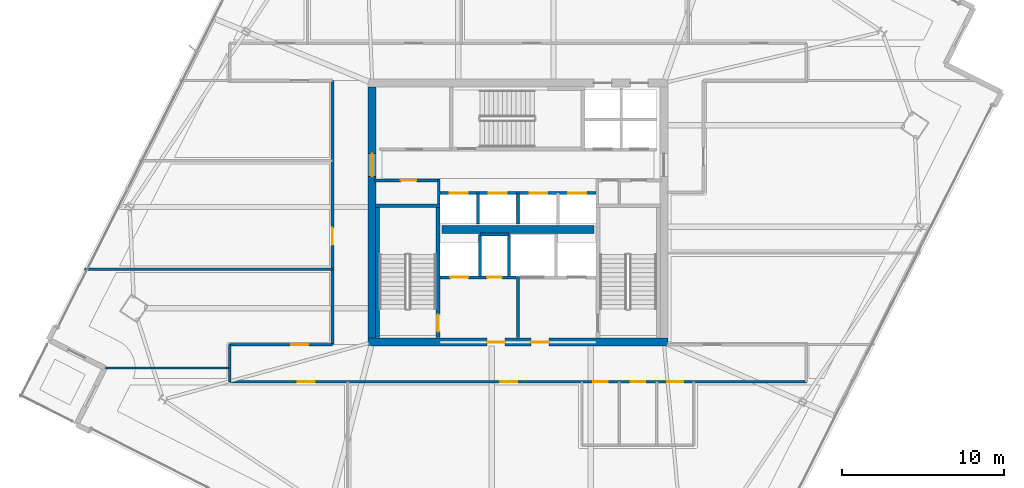
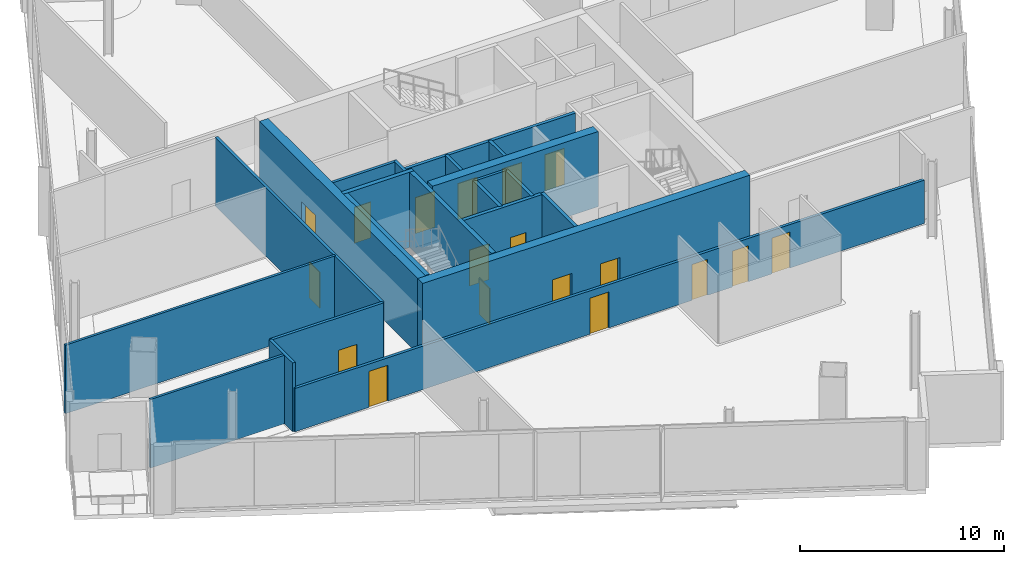
# One storey, part 20 of 27: 22 walls, 18 doors, 18 openings.
"""IFC4 building model written with IfcOpenShell, lengths in metres."""

from ifc_helpers import new_model, si_unit, direction, frame, frame_2d, origin, place, context, subcontext, project, spatial, rectangle, extrude, material, layer, layer_set, type_object, element, fill, save


model = new_model("IFC4")

# Units and contexts
model_context = context("Model", 3, precision=1e-05, world=origin(), true_north=direction((0.0, 1.0)))
body_context = subcontext(model_context, "Body", "Model", "MODEL_VIEW")
ifc_project = project(units=[si_unit("LENGTHUNIT", "METRE"), si_unit("AREAUNIT", "SQUARE_METRE"), si_unit("VOLUMEUNIT", "CUBIC_METRE"), si_unit("PLANEANGLEUNIT", "RADIAN"), si_unit("MASSUNIT", "GRAM", prefix="KILO")], contexts=[model_context])

# Site, building, storey
site_placement = place(None, origin())
site = spatial("IfcSite", under=ifc_project, at=site_placement, CompositionType="ELEMENT")
building_placement = place(site_placement, origin())
building = spatial("IfcBuilding", under=site, at=building_placement, Name="Haldenkirk Collegiate Tower", CompositionType="ELEMENT")
storey_placement = place(building_placement, frame((0.0, 0.0, 239.699951171875)))
storey = spatial("IfcBuildingStorey", under=building, at=storey_placement, Name="L60", CompositionType="ELEMENT", Elevation=239.699951171875)

# Wall, openings, doors
ifc_material_1 = material(Name="Concrete f'c 55 MPa", Category="concrete")
ifc_layer_1 = layer(ifc_material_1, 0.5)
ifc_layer_set_1 = layer_set([ifc_layer_1], Name="Concrete f'c 55 MPa")
wall_type_1 = type_object("IfcWallType", Name="WL-CORE-500", PredefinedType="SHEAR", material=ifc_layer_set_1)
wall_1_placement = place(storey_placement, frame((26.75, 18.0, 0.0), z_axis=(0.0, 0.0, 1.0), x_axis=(1.0, 0.0, 0.0)))
wall_1 = element("IfcWall", 1, at=wall_1_placement, inside=storey, type_object=wall_type_1, Name="L60 central core shear wall S", PredefinedType="SHEAR", context=body_context, shape_type="SweptSolid", body=[
    extrude(rectangle(XDim=18.5, YDim=0.5, at=frame_2d((9.25, 0.0))), origin(), (0.0, 0.0, 1.0), 4.5),
])
opening_1_placement = place(wall_1_placement, frame((7.35009765625, 0.0, 0.0)))
opening_1 = element("IfcOpeningElement", 2, at=opening_1_placement, cuts=wall_1, Name="Opening D-02", PredefinedType="OPENING", context=body_context, shape_type="SweptSolid", body=[
    extrude(rectangle(XDim=1.10009765625, YDim=2.14990234375, at=frame_2d((0.550048828125, 1.074951171875))), frame((0.0, 0.260009765625, 0.0), z_axis=(0.0, -1.0, 0.0), x_axis=(1.0, 0.0, 0.0)), (0.0, 0.0, 1.0), 0.52001953125),
])
opening_2_placement = place(wall_1_placement, frame((10.050048828125, 0.0, 0.0)))
opening_2 = element("IfcOpeningElement", 3, at=opening_2_placement, cuts=wall_1, Name="Opening D-02", PredefinedType="OPENING", context=body_context, shape_type="SweptSolid", body=[
    extrude(rectangle(XDim=1.10009765625, YDim=2.14990234375, at=frame_2d((0.550048828125, 1.074951171875))), frame((0.0, 0.260009765625, 0.0), z_axis=(0.0, -1.0, 0.0), x_axis=(1.0, 0.0, 0.0)), (0.0, 0.0, 1.0), 0.52001953125),
])
ifc_material_2 = material(Name="Galvanized fire-rated hollow steel door", Category="steel")
ifc_layer_2 = layer(ifc_material_2, 0.06005859375)
ifc_layer_set_2 = layer_set([ifc_layer_2], Name="Galvanized fire-rated hollow steel door")
door_type_1 = type_object("IfcDoorType", Name="DR-STAIR-FD90-1100", OperationType="NOTDEFINED", PredefinedType="DOOR", material=ifc_layer_set_2)
door_1_placement = place(opening_1_placement, origin())
door_1 = element("IfcDoor", 4, at=door_1_placement, inside=storey, type_object=door_type_1, Name="L60 Firefighting Lobby 1 door", OperationType="SINGLE_SWING_RIGHT", OverallHeight=2.14990234375, OverallWidth=1.10009765625, PredefinedType="DOOR", context=body_context, shape_type="SweptSolid", body=[
    extrude(rectangle(XDim=1.10009765625, YDim=2.14990234375, at=frame_2d((0.550048828125, 1.074951171875))), frame((0.0, 0.02490234375, 0.0), z_axis=(0.0, -1.0, 0.0), x_axis=(1.0, 0.0, 0.0)), (0.0, 0.0, 1.0), 0.050048828125),
])
fill(opening_1, door_1)
door_2_placement = place(opening_2_placement, origin())
door_2 = element("IfcDoor", 5, at=door_2_placement, inside=storey, type_object=door_type_1, Name="L60 Firefighting Lobby 2 door", OperationType="SINGLE_SWING_LEFT", OverallHeight=2.14990234375, OverallWidth=1.10009765625, PredefinedType="DOOR", context=body_context, shape_type="SweptSolid", body=[
    extrude(rectangle(XDim=1.10009765625, YDim=2.14990234375, at=frame_2d((0.550048828125, 1.074951171875))), frame((0.0, 0.02490234375, 0.0), z_axis=(0.0, -1.0, 0.0), x_axis=(1.0, 0.0, 0.0)), (0.0, 0.0, 1.0), 0.050048828125),
])
fill(opening_2, door_2)

# Wall, opening, door
wall_2_placement = place(storey_placement, frame((27.0, 18.25, 0.0), z_axis=(0.0, 0.0, 1.0), x_axis=(0.0, 1.0, 0.0)))
wall_2 = element("IfcWall", 6, at=wall_2_placement, inside=storey, type_object=wall_type_1, Name="L60 central core shear wall W", PredefinedType="SHEAR", context=body_context, shape_type="SweptSolid", body=[
    extrude(rectangle(XDim=15.5, YDim=0.5, at=frame_2d((7.75, 0.0))), origin(), (0.0, 0.0, 1.0), 4.5),
])
opening_3_placement = place(wall_2_placement, frame((9.989990234375, 0.0, 0.0)))
opening_3 = element("IfcOpeningElement", 7, at=opening_3_placement, cuts=wall_2, Name="Opening D-03", PredefinedType="OPENING", context=body_context, shape_type="SweptSolid", body=[
    extrude(rectangle(XDim=1.39990234375, YDim=2.199951171875, at=frame_2d((0.699951171875, 1.10009765625))), frame((0.0, 0.260009765625, 0.0), z_axis=(0.0, -1.0, 0.0), x_axis=(1.0, 0.0, 0.0)), (0.0, 0.0, 1.0), 0.52001953125),
])
ifc_layer_3 = layer(ifc_material_2, 0.06005859375)
ifc_layer_set_3 = layer_set([ifc_layer_3], Name="Galvanized fire-rated hollow steel door")
door_type_2 = type_object("IfcDoorType", Name="DR-LOBBY-FD90-1400", OperationType="NOTDEFINED", PredefinedType="DOOR", material=ifc_layer_set_3)
door_3_placement = place(opening_3_placement, origin())
door_3 = element("IfcDoor", 8, at=door_3_placement, inside=storey, type_object=door_type_2, Name="L60 west lift lobby portal", OperationType="DOUBLE_DOOR_SINGLE_SWING", OverallHeight=2.199951171875, OverallWidth=1.39990234375, PredefinedType="DOOR", context=body_context, shape_type="SweptSolid", body=[
    extrude(rectangle(XDim=1.39990234375, YDim=2.199951171875, at=frame_2d((0.699951171875, 1.10009765625))), frame((0.0, 0.02490234375, 0.0), z_axis=(0.0, -1.0, 0.0), x_axis=(1.0, 0.0, 0.0)), (0.0, 0.0, 1.0), 0.050048828125),
])
fill(opening_3, door_3)

# Wall
wall_3_placement = place(storey_placement, frame((31.31005859375, 24.949951171875, 0.0), z_axis=(0.0, 0.0, 1.0), x_axis=(1.0, 0.0, 0.0)))
element("IfcWall", 9, at=wall_3_placement, inside=storey, type_object=wall_type_1, Name="L60 central core spine shear wall", PredefinedType="SHEAR", context=body_context, shape_type="SweptSolid", body=[
    extrude(rectangle(XDim=9.3798828125, YDim=0.5, at=frame_2d((4.68994140625, 0.0))), origin(), (0.0, 0.0, 1.0), 4.5),
])

# Wall, opening, door
ifc_material_3 = material(Name="Acoustic fire-rated gypsum partition", Category="concrete")
ifc_layer_4 = layer(ifc_material_3, 0.159912109375)
ifc_layer_set_4 = layer_set([ifc_layer_4], Name="Acoustic fire-rated gypsum partition")
wall_type_2 = type_object("IfcWallType", Name="WL-INT-CORR-160", PredefinedType="PARTITIONING", material=ifc_layer_set_4)
wall_4_placement = place(storey_placement, frame((27.14990234375, 27.97998046875, 0.0), z_axis=(0.0, 0.0, 1.0), x_axis=(1.0, 0.0, 0.0)))
wall_4 = element("IfcWall", 10, at=wall_4_placement, inside=storey, type_object=wall_type_2, Name="L60 interior partition IW-L60-VCSW-N", PredefinedType="PARTITIONING", context=body_context, shape_type="SweptSolid", body=[
    extrude(rectangle(XDim=4.050048828125, YDim=0.159912109375, at=frame_2d((2.02490234375, 0.0))), origin(), (0.0, 0.0, 1.0), 4.10009765625),
])
opening_4_placement = place(wall_4_placement, frame((1.625, 0.0, 0.0)))
opening_4 = element("IfcOpeningElement", 11, at=opening_4_placement, cuts=wall_4, Name="Opening D-10", PredefinedType="OPENING", context=body_context, shape_type="SweptSolid", body=[
    extrude(rectangle(XDim=0.949951171875, YDim=2.14990234375, at=frame_2d((0.47509765625, 1.074951171875))), frame((0.0, 0.08984375, 0.0), z_axis=(0.0, -1.0, 0.0), x_axis=(1.0, 0.0, 0.0)), (0.0, 0.0, 1.0), 0.179931640625),
])
ifc_material_4 = material(Name="Solid-core architectural oak fire door", Category="wood")
ifc_layer_5 = layer(ifc_material_4, 0.06005859375)
ifc_layer_set_5 = layer_set([ifc_layer_5], Name="Solid-core architectural oak fire door")
door_type_3 = type_object("IfcDoorType", Name="DR-INT-FD60-950", OperationType="NOTDEFINED", PredefinedType="DOOR", material=ifc_layer_set_5)
door_4_placement = place(opening_4_placement, origin())
door_4 = element("IfcDoor", 12, at=door_4_placement, inside=storey, type_object=door_type_3, Name="L60 core tea pantry door", OperationType="SINGLE_SWING_LEFT", OverallHeight=2.14990234375, OverallWidth=0.949951171875, PredefinedType="DOOR", context=body_context, shape_type="SweptSolid", body=[
    extrude(rectangle(XDim=0.949951171875, YDim=2.14990234375, at=frame_2d((0.47509765625, 1.074951171875))), frame((0.0, 0.02490234375, 0.0), z_axis=(0.0, -1.0, 0.0), x_axis=(1.0, 0.0, 0.0)), (0.0, 0.0, 1.0), 0.050048828125),
])
fill(opening_4, door_4)

# Wall
wall_5_placement = place(storey_placement, frame((31.1201171875, 26.5400390625, 0.0), z_axis=(0.0, 0.0, 1.0), x_axis=(0.0, 1.0, 0.0)))
element("IfcWall", 13, at=wall_5_placement, inside=storey, type_object=wall_type_2, Name="L60 interior partition IW-L60-VCSW-E", PredefinedType="PARTITIONING", context=body_context, shape_type="SweptSolid", body=[
    extrude(rectangle(XDim=1.510009765625, YDim=0.159912109375, at=frame_2d((0.7548828125, 0.0))), origin(), (0.0, 0.0, 1.0), 4.10009765625),
])

# Wall, openings, doors
wall_6_placement = place(storey_placement, frame((18.199951171875, 15.550048828125, 0.0), z_axis=(0.0, 0.0, 1.0), x_axis=(1.0, 0.0, 0.0)))
wall_6 = element("IfcWall", 14, at=wall_6_placement, inside=storey, type_object=wall_type_2, Name="L60 interior partition IW-L60-CS", PredefinedType="PARTITIONING", context=body_context, shape_type="SweptSolid", body=[
    extrude(rectangle(XDim=35.60009765625, YDim=0.159912109375, at=frame_2d((17.800048828125, 0.0))), origin(), (0.0, 0.0, 1.0), 2.594970703125),
])
opening_5_placement = place(wall_6_placement, frame((22.449951171875, 0.0, 0.0)))
opening_5 = element("IfcOpeningElement", 15, at=opening_5_placement, cuts=wall_6, Name="Opening D-13", PredefinedType="OPENING", context=body_context, shape_type="SweptSolid", body=[
    extrude(rectangle(XDim=0.89990234375, YDim=2.14990234375, at=frame_2d((0.449951171875, 1.074951171875))), frame((0.0, 0.08984375, 0.0), z_axis=(0.0, -1.0, 0.0), x_axis=(1.0, 0.0, 0.0)), (0.0, 0.0, 1.0), 0.179931640625),
])
opening_6_placement = place(wall_6_placement, frame((24.75, 0.0, 0.0)))
opening_6 = element("IfcOpeningElement", 16, at=opening_6_placement, cuts=wall_6, Name="Opening D-13", PredefinedType="OPENING", context=body_context, shape_type="SweptSolid", body=[
    extrude(rectangle(XDim=0.89990234375, YDim=2.14990234375, at=frame_2d((0.449951171875, 1.074951171875))), frame((0.0, 0.08984375, 0.0), z_axis=(0.0, -1.0, 0.0), x_axis=(1.0, 0.0, 0.0)), (0.0, 0.0, 1.0), 0.179931640625),
])
opening_7_placement = place(wall_6_placement, frame((27.0, 0.0, 0.0)))
opening_7 = element("IfcOpeningElement", 17, at=opening_7_placement, cuts=wall_6, Name="Opening D-14", PredefinedType="OPENING", context=body_context, shape_type="SweptSolid", body=[
    extrude(rectangle(XDim=1.0, YDim=2.14990234375, at=frame_2d((0.5, 1.074951171875))), frame((0.0, 0.08984375, 0.0), z_axis=(0.0, -1.0, 0.0), x_axis=(1.0, 0.0, 0.0)), (0.0, 0.0, 1.0), 0.179931640625),
])
opening_8_placement = place(wall_6_placement, frame((4.20703125, 0.0, 0.0)))
opening_8 = element("IfcOpeningElement", 18, at=opening_8_placement, cuts=wall_6, Name="Opening D-09", PredefinedType="OPENING", context=body_context, shape_type="SweptSolid", body=[
    extrude(rectangle(XDim=1.050048828125, YDim=2.14990234375, at=frame_2d((0.52490234375, 1.074951171875))), frame((0.0, 0.08984375, 0.0), z_axis=(0.0, -1.0, 0.0), x_axis=(1.0, 0.0, 0.0)), (0.0, 0.0, 1.0), 0.179931640625),
])
opening_9_placement = place(wall_6_placement, frame((16.70703125, 0.0, 0.0)))
opening_9 = element("IfcOpeningElement", 19, at=opening_9_placement, cuts=wall_6, Name="Opening D-09", PredefinedType="OPENING", context=body_context, shape_type="SweptSolid", body=[
    extrude(rectangle(XDim=1.050048828125, YDim=2.14990234375, at=frame_2d((0.52490234375, 1.074951171875))), frame((0.0, 0.08984375, 0.0), z_axis=(0.0, -1.0, 0.0), x_axis=(1.0, 0.0, 0.0)), (0.0, 0.0, 1.0), 0.179931640625),
])
ifc_layer_6 = layer(ifc_material_4, 0.06005859375)
ifc_layer_set_6 = layer_set([ifc_layer_6], Name="Solid-core architectural oak fire door")
door_type_4 = type_object("IfcDoorType", Name="DR-INT-ACC-1000", OperationType="NOTDEFINED", PredefinedType="DOOR", material=ifc_layer_set_6)
door_5_placement = place(opening_7_placement, origin())
door_5 = element("IfcDoor", 20, at=door_5_placement, inside=storey, type_object=door_type_4, Name="L60 Accessible WC door", OperationType="SINGLE_SWING_LEFT", OverallHeight=2.14990234375, OverallWidth=1.0, PredefinedType="DOOR", context=body_context, shape_type="SweptSolid", body=[
    extrude(rectangle(XDim=1.0, YDim=2.14990234375, at=frame_2d((0.5, 1.074951171875))), frame((0.0, 0.02490234375, 0.0), z_axis=(0.0, -1.0, 0.0), x_axis=(1.0, 0.0, 0.0)), (0.0, 0.0, 1.0), 0.050048828125),
])
fill(opening_7, door_5)
ifc_layer_7 = layer(ifc_material_4, 0.06005859375)
ifc_layer_set_7 = layer_set([ifc_layer_7], Name="Solid-core architectural oak fire door")
door_type_5 = type_object("IfcDoorType", Name="DR-INT-FD60-1050", OperationType="NOTDEFINED", PredefinedType="DOOR", material=ifc_layer_set_7)
door_6_placement = place(opening_8_placement, origin())
door_6 = element("IfcDoor", 21, at=door_6_placement, inside=storey, type_object=door_type_5, Name="L60 Collegiate Commons Assembly Hall door", OperationType="SINGLE_SWING_RIGHT", OverallHeight=2.14990234375, OverallWidth=1.050048828125, PredefinedType="DOOR", context=body_context, shape_type="SweptSolid", body=[
    extrude(rectangle(XDim=1.050048828125, YDim=2.14990234375, at=frame_2d((0.52490234375, 1.074951171875))), frame((0.0, 0.02490234375, 0.0), z_axis=(0.0, -1.0, 0.0), x_axis=(1.0, 0.0, 0.0)), (0.0, 0.0, 1.0), 0.050048828125),
])
fill(opening_8, door_6)
door_7_placement = place(opening_9_placement, origin())
door_7 = element("IfcDoor", 22, at=door_7_placement, inside=storey, type_object=door_type_5, Name="L60 Catering Tea Kitchen 2 door", OperationType="SINGLE_SWING_LEFT", OverallHeight=2.14990234375, OverallWidth=1.050048828125, PredefinedType="DOOR", context=body_context, shape_type="SweptSolid", body=[
    extrude(rectangle(XDim=1.050048828125, YDim=2.14990234375, at=frame_2d((0.52490234375, 1.074951171875))), frame((0.0, 0.02490234375, 0.0), z_axis=(0.0, -1.0, 0.0), x_axis=(1.0, 0.0, 0.0)), (0.0, 0.0, 1.0), 0.050048828125),
])
fill(opening_9, door_7)
ifc_layer_8 = layer(ifc_material_4, 0.06005859375)
ifc_layer_set_8 = layer_set([ifc_layer_8], Name="Solid-core architectural oak fire door")
door_type_6 = type_object("IfcDoorType", Name="DR-INT-STD-900", OperationType="NOTDEFINED", PredefinedType="DOOR", material=ifc_layer_set_8)
door_8_placement = place(opening_5_placement, origin())
door_8 = element("IfcDoor", 23, at=door_8_placement, inside=storey, type_object=door_type_6, Name="L60 Male WC door", OperationType="SINGLE_SWING_LEFT", OverallHeight=2.14990234375, OverallWidth=0.89990234375, PredefinedType="DOOR", context=body_context, shape_type="SweptSolid", body=[
    extrude(rectangle(XDim=0.89990234375, YDim=2.14990234375, at=frame_2d((0.449951171875, 1.074951171875))), frame((0.0, 0.02490234375, 0.0), z_axis=(0.0, -1.0, 0.0), x_axis=(1.0, 0.0, 0.0)), (0.0, 0.0, 1.0), 0.050048828125),
])
fill(opening_5, door_8)
door_9_placement = place(opening_6_placement, origin())
door_9 = element("IfcDoor", 24, at=door_9_placement, inside=storey, type_object=door_type_6, Name="L60 Female WC door", OperationType="SINGLE_SWING_RIGHT", OverallHeight=2.14990234375, OverallWidth=0.89990234375, PredefinedType="DOOR", context=body_context, shape_type="SweptSolid", body=[
    extrude(rectangle(XDim=0.89990234375, YDim=2.14990234375, at=frame_2d((0.449951171875, 1.074951171875))), frame((0.0, 0.02490234375, 0.0), z_axis=(0.0, -1.0, 0.0), x_axis=(1.0, 0.0, 0.0)), (0.0, 0.0, 1.0), 0.050048828125),
])
fill(opening_6, door_9)

# Wall, opening, door
wall_7_placement = place(storey_placement, frame((18.199951171875, 17.85009765625, 0.0), z_axis=(0.0, 0.0, 1.0), x_axis=(1.0, 0.0, 0.0)))
wall_7 = element("IfcWall", 25, at=wall_7_placement, inside=storey, type_object=wall_type_2, Name="L60 interior partition IW-L60-CSW", PredefinedType="PARTITIONING", context=body_context, shape_type="SweptSolid", body=[
    extrude(rectangle(XDim=6.35009765625, YDim=0.159912109375, at=frame_2d((3.175048828125, 0.0))), origin(), (0.0, 0.0, 1.0), 4.10009765625),
])
opening_10_placement = place(wall_7_placement, frame((3.79296875, 0.0, 0.0)))
opening_10 = element("IfcOpeningElement", 26, at=opening_10_placement, cuts=wall_7, Name="Opening D-09", PredefinedType="OPENING", context=body_context, shape_type="SweptSolid", body=[
    extrude(rectangle(XDim=1.050048828125, YDim=2.14990234375, at=frame_2d((0.52490234375, 1.074951171875))), frame((0.0, 0.08984375, 0.0), z_axis=(0.0, -1.0, 0.0), x_axis=(1.0, 0.0, 0.0)), (0.0, 0.0, 1.0), 0.179931640625),
])
door_10_placement = place(opening_10_placement, origin())
door_10 = element("IfcDoor", 27, at=door_10_placement, inside=storey, type_object=door_type_5, Name="L60 Academic Tea Kitchen 7 door", OperationType="SINGLE_SWING_RIGHT", OverallHeight=2.14990234375, OverallWidth=1.050048828125, PredefinedType="DOOR", context=body_context, shape_type="SweptSolid", body=[
    extrude(rectangle(XDim=1.050048828125, YDim=2.14990234375, at=frame_2d((0.52490234375, 1.074951171875))), frame((0.0, 0.02490234375, 0.0), z_axis=(0.0, -1.0, 0.0), x_axis=(1.0, 0.0, 0.0)), (0.0, 0.0, 1.0), 0.050048828125),
])
fill(opening_10, door_10)

wall_8_placement = place(storey_placement, frame((24.550048828125, 17.85009765625, 0.0), z_axis=(0.0, 0.0, 1.0), x_axis=(0.0, 1.0, 0.0)))
wall_8 = element("IfcWall", 28, at=wall_8_placement, inside=storey, type_object=wall_type_2, Name="L60 interior partition IW-L60-CW", PredefinedType="PARTITIONING", context=body_context, shape_type="SweptSolid", body=[
    extrude(rectangle(XDim=16.2998046875, YDim=0.159912109375, at=frame_2d((8.14990234375, 0.0))), origin(), (0.0, 0.0, 1.0), 4.10009765625),
])
opening_11_placement = place(wall_8_placement, frame((6.14892578125, 0.0, 0.0)))
opening_11 = element("IfcOpeningElement", 29, at=opening_11_placement, cuts=wall_8, Name="Opening D-09", PredefinedType="OPENING", context=body_context, shape_type="SweptSolid", body=[
    extrude(rectangle(XDim=1.050048828125, YDim=2.14990234375, at=frame_2d((0.52490234375, 1.074951171875))), frame((0.0, 0.08984375, 0.0), z_axis=(0.0, -1.0, 0.0), x_axis=(1.0, 0.0, 0.0)), (0.0, 0.0, 1.0), 0.179931640625),
])
door_11_placement = place(opening_11_placement, origin())
door_11 = element("IfcDoor", 30, at=door_11_placement, inside=storey, type_object=door_type_5, Name="L60 Catering Tea Kitchen 8 door", OperationType="SINGLE_SWING_LEFT", OverallHeight=2.14990234375, OverallWidth=1.050048828125, PredefinedType="DOOR", context=body_context, shape_type="SweptSolid", body=[
    extrude(rectangle(XDim=1.050048828125, YDim=2.14990234375, at=frame_2d((0.52490234375, 1.074951171875))), frame((0.0, 0.02490234375, 0.0), z_axis=(0.0, -1.0, 0.0), x_axis=(1.0, 0.0, 0.0)), (0.0, 0.0, 1.0), 0.050048828125),
])
fill(opening_11, door_11)

# Walls
wall_9_placement = place(storey_placement, frame((18.199951171875, 15.550048828125, 0.0), z_axis=(0.0, 0.0, 1.0), x_axis=(0.0, 1.0, 0.0)))
element("IfcWall", 31, at=wall_9_placement, inside=storey, type_object=wall_type_2, Name="L60 interior partition IW-L60-CSL", PredefinedType="PARTITIONING", context=body_context, shape_type="SweptSolid", body=[
    extrude(rectangle(XDim=2.300048828125, YDim=0.159912109375, at=frame_2d((1.14990234375, 0.0))), origin(), (0.0, 0.0, 1.0), 4.10009765625),
])
ifc_layer_9 = layer(ifc_material_3, 0.139892578125)
ifc_layer_set_9 = layer_set([ifc_layer_9], Name="Acoustic fire-rated gypsum partition")
wall_type_3 = type_object("IfcWallType", Name="WL-INT-DIV-140", PredefinedType="PARTITIONING", material=ifc_layer_set_9)
wall_10_placement = place(storey_placement, frame((10.5400390625, 16.39990234375, 0.0), z_axis=(0.0, 0.0, 1.0), x_axis=(1.0, 0.0, 0.0)))
element("IfcWall", 32, at=wall_10_placement, inside=storey, type_object=wall_type_3, Name="L60 interior partition IW-L60-BWS", PredefinedType="PARTITIONING", context=body_context, shape_type="SweptSolid", body=[
    extrude(rectangle(XDim=7.659912109375, YDim=0.139892578125, at=frame_2d((3.830078125, 0.0))), origin(), (0.0, 0.0, 1.0), 4.10009765625),
])
wall_11_placement = place(storey_placement, frame((9.251953125, 22.5, 0.0), z_axis=(0.0, 0.0, 1.0), x_axis=(1.0, 0.0, 0.0)))
element("IfcWall", 33, at=wall_11_placement, inside=storey, type_object=wall_type_3, Name="L60 interior partition IW-L60-RW1", PredefinedType="PARTITIONING", context=body_context, shape_type="SweptSolid", body=[
    extrude(rectangle(XDim=15.298095703125, YDim=0.139892578125, at=frame_2d((7.64892578125, 0.0))), origin(), (0.0, 0.0, 1.0), 4.10009765625),
])
ifc_material_5 = material(Name="Fire-rated gypsum shaftboard assembly", Category="concrete")
ifc_layer_10 = layer(ifc_material_5, 0.179931640625)
ifc_layer_set_10 = layer_set([ifc_layer_10], Name="Fire-rated gypsum shaftboard assembly")
wall_type_4 = type_object("IfcWallType", Name="WL-INT-SHAFT-180", PredefinedType="PARTITIONING", material=ifc_layer_set_10)
for number, where, z_axis, x_axis, name in (
    (34, (33.64990234375, 22.050048828125, 0.0), (0.0, 0.0, 1.0), (0.0, 1.0, 0.0), "L60 interior partition IW-L60-FL1E"),
    (35, (35.449951171875, 22.050048828125, 0.0), (0.0, 0.0, 1.0), (0.0, 1.0, 0.0), "L60 interior partition IW-L60-GL1W"),
):
    element("IfcWall", number, at=place(storey_placement, frame(where, z_axis=z_axis, x_axis=x_axis)), inside=storey, type_object=wall_type_4, Name=name, PredefinedType="PARTITIONING", context=body_context, shape_type="SweptSolid", body=[
        extrude(rectangle(XDim=2.599853515625, YDim=0.179931640625, at=frame_2d((1.2998046875, 0.0))), origin(), (0.0, 0.0, 1.0), 4.10009765625),
    ])
wall_12_placement = place(storey_placement, frame((33.64990234375, 24.64990234375, 0.0), z_axis=(0.0, 0.0, 1.0), x_axis=(1.0, 0.0, 0.0)))
element("IfcWall", 36, at=wall_12_placement, inside=storey, type_object=wall_type_4, Name="L60 interior partition IW-L60-RSRN", PredefinedType="PARTITIONING", context=body_context, shape_type="SweptSolid", body=[
    extrude(rectangle(XDim=1.800048828125, YDim=0.179931640625, at=frame_2d((0.89990234375, 0.0))), origin(), (0.0, 0.0, 1.0), 4.10009765625),
])

# Wall, openings, doors
wall_13_placement = place(storey_placement, frame((31.199951171875, 27.199951171875, 0.0), z_axis=(0.0, 0.0, 1.0), x_axis=(1.0, 0.0, 0.0)))
wall_13 = element("IfcWall", 37, at=wall_13_placement, inside=storey, type_object=wall_type_4, Name="L60 interior partition IW-L60-PHN", PredefinedType="PARTITIONING", context=body_context, shape_type="SweptSolid", body=[
    extrude(rectangle(XDim=9.60009765625, YDim=0.179931640625, at=frame_2d((4.800048828125, 0.0))), origin(), (0.0, 0.0, 1.0), 4.10009765625),
])
opening_12_placement = place(wall_13_placement, frame((0.590087890625, 0.0, 0.0)))
opening_12 = element("IfcOpeningElement", 38, at=opening_12_placement, cuts=wall_13, Name="Opening LD-11", PredefinedType="OPENING", context=body_context, shape_type="SweptSolid", body=[
    extrude(rectangle(XDim=1.10009765625, YDim=2.14990234375, at=frame_2d((0.550048828125, 1.074951171875))), frame((0.0, 0.099853515625, 0.0), z_axis=(0.0, -1.0, 0.0), x_axis=(1.0, 0.0, 0.0)), (0.0, 0.0, 1.0), 0.199951171875),
])
opening_13_placement = place(wall_13_placement, frame((2.989990234375, 0.0, 0.0)))
opening_13 = element("IfcOpeningElement", 39, at=opening_13_placement, cuts=wall_13, Name="Opening LD-11", PredefinedType="OPENING", context=body_context, shape_type="SweptSolid", body=[
    extrude(rectangle(XDim=1.10009765625, YDim=2.14990234375, at=frame_2d((0.550048828125, 1.074951171875))), frame((0.0, 0.099853515625, 0.0), z_axis=(0.0, -1.0, 0.0), x_axis=(1.0, 0.0, 0.0)), (0.0, 0.0, 1.0), 0.199951171875),
])
opening_14_placement = place(wall_13_placement, frame((5.510009765625, 0.0, 0.0)))
opening_14 = element("IfcOpeningElement", 40, at=opening_14_placement, cuts=wall_13, Name="Opening LD-11", PredefinedType="OPENING", context=body_context, shape_type="SweptSolid", body=[
    extrude(rectangle(XDim=1.10009765625, YDim=2.14990234375, at=frame_2d((0.550048828125, 1.074951171875))), frame((0.0, 0.099853515625, 0.0), z_axis=(0.0, -1.0, 0.0), x_axis=(1.0, 0.0, 0.0)), (0.0, 0.0, 1.0), 0.199951171875),
])
opening_15_placement = place(wall_13_placement, frame((7.909912109375, 0.0, 0.0)))
opening_15 = element("IfcOpeningElement", 41, at=opening_15_placement, cuts=wall_13, Name="Opening LD-11", PredefinedType="OPENING", context=body_context, shape_type="SweptSolid", body=[
    extrude(rectangle(XDim=1.10009765625, YDim=2.14990234375, at=frame_2d((0.550048828125, 1.074951171875))), frame((0.0, 0.099853515625, 0.0), z_axis=(0.0, -1.0, 0.0), x_axis=(1.0, 0.0, 0.0)), (0.0, 0.0, 1.0), 0.199951171875),
])
ifc_material_6 = material(Name="Brushed architectural stainless steel", Category="steel")
ifc_layer_11 = layer(ifc_material_6, 0.06005859375)
ifc_layer_set_11 = layer_set([ifc_layer_11], Name="Brushed architectural stainless steel")
door_type_7 = type_object("IfcDoorType", Name="LD-PASS-1100", OperationType="NOTDEFINED", PredefinedType="DOOR", material=ifc_layer_set_11)
door_12_placement = place(opening_12_placement, origin())
door_12 = element("IfcDoor", 42, at=door_12_placement, inside=storey, type_object=door_type_7, Name="L60 Elevator PH1 sliding landing door", OperationType="SLIDING_TO_LEFT", OverallHeight=2.14990234375, OverallWidth=1.10009765625, PredefinedType="DOOR", context=body_context, shape_type="SweptSolid", body=[
    extrude(rectangle(XDim=1.10009765625, YDim=2.14990234375, at=frame_2d((0.550048828125, 1.074951171875))), frame((0.0, 0.02490234375, 0.0), z_axis=(0.0, -1.0, 0.0), x_axis=(1.0, 0.0, 0.0)), (0.0, 0.0, 1.0), 0.050048828125),
])
fill(opening_12, door_12)
door_13_placement = place(opening_13_placement, origin())
door_13 = element("IfcDoor", 43, at=door_13_placement, inside=storey, type_object=door_type_7, Name="L60 Elevator PH2 sliding landing door", OperationType="SLIDING_TO_LEFT", OverallHeight=2.14990234375, OverallWidth=1.10009765625, PredefinedType="DOOR", context=body_context, shape_type="SweptSolid", body=[
    extrude(rectangle(XDim=1.10009765625, YDim=2.14990234375, at=frame_2d((0.550048828125, 1.074951171875))), frame((0.0, 0.02490234375, 0.0), z_axis=(0.0, -1.0, 0.0), x_axis=(1.0, 0.0, 0.0)), (0.0, 0.0, 1.0), 0.050048828125),
])
fill(opening_13, door_13)
door_14_placement = place(opening_14_placement, origin())
door_14 = element("IfcDoor", 44, at=door_14_placement, inside=storey, type_object=door_type_7, Name="L60 Elevator PH3 sliding landing door", OperationType="SLIDING_TO_LEFT", OverallHeight=2.14990234375, OverallWidth=1.10009765625, PredefinedType="DOOR", context=body_context, shape_type="SweptSolid", body=[
    extrude(rectangle(XDim=1.10009765625, YDim=2.14990234375, at=frame_2d((0.550048828125, 1.074951171875))), frame((0.0, 0.02490234375, 0.0), z_axis=(0.0, -1.0, 0.0), x_axis=(1.0, 0.0, 0.0)), (0.0, 0.0, 1.0), 0.050048828125),
])
fill(opening_14, door_14)
door_15_placement = place(opening_15_placement, origin())
door_15 = element("IfcDoor", 45, at=door_15_placement, inside=storey, type_object=door_type_7, Name="L60 Elevator PH4 sliding landing door", OperationType="SLIDING_TO_LEFT", OverallHeight=2.14990234375, OverallWidth=1.10009765625, PredefinedType="DOOR", context=body_context, shape_type="SweptSolid", body=[
    extrude(rectangle(XDim=1.10009765625, YDim=2.14990234375, at=frame_2d((0.550048828125, 1.074951171875))), frame((0.0, 0.02490234375, 0.0), z_axis=(0.0, -1.0, 0.0), x_axis=(1.0, 0.0, 0.0)), (0.0, 0.0, 1.0), 0.050048828125),
])
fill(opening_15, door_15)

# Walls
for number, where, z_axis, x_axis, name in (
    (46, (33.5400390625, 25.300048828125, 0.0), (0.0, 0.0, 1.0), (0.0, 1.0, 0.0), "L60 interior partition IW-L60-PHV1"),
    (47, (36.0, 25.300048828125, 0.0), (0.0, 0.0, 1.0), (0.0, 1.0, 0.0), "L60 interior partition IW-L60-PHV2"),
):
    element("IfcWall", number, at=place(storey_placement, frame(where, z_axis=z_axis, x_axis=x_axis)), inside=storey, type_object=wall_type_4, Name=name, PredefinedType="PARTITIONING", context=body_context, shape_type="SweptSolid", body=[
        extrude(rectangle(XDim=1.89990234375, YDim=0.179931640625, at=frame_2d((0.949951171875, 0.0))), origin(), (0.0, 0.0, 1.0), 4.10009765625),
    ])
ifc_layer_12 = layer(ifc_material_5, 0.199951171875)
ifc_layer_set_12 = layer_set([ifc_layer_12], Name="Fire-rated gypsum shaftboard assembly")
wall_type_5 = type_object("IfcWallType", Name="WL-INT-SHAFT-200", PredefinedType="PARTITIONING", material=ifc_layer_set_12)
wall_14_placement = place(storey_placement, frame((36.0, 18.280029296875, 0.0), z_axis=(0.0, 0.0, 1.0), x_axis=(0.0, 1.0, 0.0)))
element("IfcWall", 48, at=wall_14_placement, inside=storey, type_object=wall_type_5, Name="L60 interior partition IW-L60-FFLM", PredefinedType="PARTITIONING", context=body_context, shape_type="SweptSolid", body=[
    extrude(rectangle(XDim=3.77001953125, YDim=0.199951171875, at=frame_2d((1.885009765625, 0.0))), origin(), (0.0, 0.0, 1.0), 4.10009765625),
])

# Wall, openings, doors
wall_15_placement = place(storey_placement, frame((31.18994140625, 22.0, 0.0), z_axis=(0.0, 0.0, 1.0), x_axis=(1.0, 0.0, 0.0)))
wall_15 = element("IfcWall", 49, at=wall_15_placement, inside=storey, type_object=wall_type_5, Name="L60 interior partition IW-L60-FFL1N", PredefinedType="PARTITIONING", context=body_context, shape_type="SweptSolid", body=[
    extrude(rectangle(XDim=4.68994140625, YDim=0.199951171875, at=frame_2d((2.344970703125, 0.0))), origin(), (0.0, 0.0, 1.0), 4.10009765625),
])
opening_16_placement = place(wall_15_placement, frame((2.909912109375, 0.0, 0.0)))
opening_16 = element("IfcOpeningElement", 50, at=opening_16_placement, cuts=wall_15, Name="Opening D-06", PredefinedType="OPENING", context=body_context, shape_type="SweptSolid", body=[
    extrude(rectangle(XDim=0.89990234375, YDim=2.14990234375, at=frame_2d((0.449951171875, 1.074951171875))), frame((0.0, 0.10986328125, 0.0), z_axis=(0.0, -1.0, 0.0), x_axis=(1.0, 0.0, 0.0)), (0.0, 0.0, 1.0), 0.219970703125),
])
opening_17_placement = place(wall_15_placement, frame((0.635009765625, 0.0, 0.0)))
opening_17 = element("IfcOpeningElement", 51, at=opening_17_placement, cuts=wall_15, Name="Opening LD-12", PredefinedType="OPENING", context=body_context, shape_type="SweptSolid", body=[
    extrude(rectangle(XDim=1.10009765625, YDim=2.14990234375, at=frame_2d((0.550048828125, 1.074951171875))), frame((0.0, 0.10986328125, 0.0), z_axis=(0.0, -1.0, 0.0), x_axis=(1.0, 0.0, 0.0)), (0.0, 0.0, 1.0), 0.219970703125),
])
ifc_layer_13 = layer(ifc_material_2, 0.06005859375)
ifc_layer_set_13 = layer_set([ifc_layer_13], Name="Galvanized fire-rated hollow steel door")
door_type_8 = type_object("IfcDoorType", Name="DR-INT-FD90-900", OperationType="NOTDEFINED", PredefinedType="DOOR", material=ifc_layer_set_13)
door_16_placement = place(opening_16_placement, origin())
door_16 = element("IfcDoor", 52, at=door_16_placement, inside=storey, type_object=door_type_8, Name="L60 electrical riser door", OperationType="SINGLE_SWING_RIGHT", OverallHeight=2.14990234375, OverallWidth=0.89990234375, PredefinedType="DOOR", context=body_context, shape_type="SweptSolid", body=[
    extrude(rectangle(XDim=0.89990234375, YDim=2.14990234375, at=frame_2d((0.449951171875, 1.074951171875))), frame((0.0, 0.02490234375, 0.0), z_axis=(0.0, -1.0, 0.0), x_axis=(1.0, 0.0, 0.0)), (0.0, 0.0, 1.0), 0.050048828125),
])
fill(opening_16, door_16)
ifc_layer_14 = layer(ifc_material_6, 0.06005859375)
ifc_layer_set_14 = layer_set([ifc_layer_14], Name="Brushed architectural stainless steel")
door_type_9 = type_object("IfcDoorType", Name="LD-FIRE-1100", OperationType="NOTDEFINED", PredefinedType="DOOR", material=ifc_layer_set_14)
door_17_placement = place(opening_17_placement, origin())
door_17 = element("IfcDoor", 53, at=door_17_placement, inside=storey, type_object=door_type_9, Name="L60 Elevator FL1 sliding landing door", OperationType="SLIDING_TO_LEFT", OverallHeight=2.14990234375, OverallWidth=1.10009765625, PredefinedType="DOOR", context=body_context, shape_type="SweptSolid", body=[
    extrude(rectangle(XDim=1.10009765625, YDim=2.14990234375, at=frame_2d((0.550048828125, 1.074951171875))), frame((0.0, 0.02490234375, 0.0), z_axis=(0.0, -1.0, 0.0), x_axis=(1.0, 0.0, 0.0)), (0.0, 0.0, 1.0), 0.050048828125),
])
fill(opening_17, door_17)

# Wall, opening, door
ifc_layer_15 = layer(ifc_material_1, 0.239990234375)
ifc_layer_set_15 = layer_set([ifc_layer_15], Name="Concrete f'c 55 MPa")
wall_type_6 = type_object("IfcWallType", Name="WL-SHAFT-240", PredefinedType="SHEAR", material=ifc_layer_set_15)
wall_16_placement = place(storey_placement, frame((31.070068359375, 18.280029296875, 0.0), z_axis=(0.0, 0.0, 1.0), x_axis=(0.0, 1.0, 0.0)))
wall_16 = element("IfcWall", 54, at=wall_16_placement, inside=storey, type_object=wall_type_6, Name="L60 stair shaft shear wall SW-L60-ST1E", PredefinedType="SHEAR", context=body_context, shape_type="SweptSolid", body=[
    extrude(rectangle(XDim=8.260009765625, YDim=0.239990234375, at=frame_2d((4.1298828125, 0.0))), origin(), (0.0, 0.0, 1.0), 4.5),
])
opening_18_placement = place(wall_16_placement, frame((0.364990234375, 0.0, 0.0)))
opening_18 = element("IfcOpeningElement", 55, at=opening_18_placement, cuts=wall_16, Name="Opening D-01", PredefinedType="OPENING", context=body_context, shape_type="SweptSolid", body=[
    extrude(rectangle(XDim=1.050048828125, YDim=2.14990234375, at=frame_2d((0.52490234375, 1.074951171875))), frame((0.0, 0.1298828125, 0.0), z_axis=(0.0, -1.0, 0.0), x_axis=(1.0, 0.0, 0.0)), (0.0, 0.0, 1.0), 0.260009765625),
])
ifc_layer_16 = layer(ifc_material_2, 0.06005859375)
ifc_layer_set_16 = layer_set([ifc_layer_16], Name="Galvanized fire-rated hollow steel door")
door_type_10 = type_object("IfcDoorType", Name="DR-STAIR-FD90-1050", OperationType="NOTDEFINED", PredefinedType="DOOR", material=ifc_layer_set_16)
door_18_placement = place(opening_18_placement, origin())
door_18 = element("IfcDoor", 56, at=door_18_placement, inside=storey, type_object=door_type_10, Name="L60 Stair 1 door", OperationType="SINGLE_SWING_LEFT", OverallHeight=2.14990234375, OverallWidth=1.050048828125, PredefinedType="DOOR", context=body_context, shape_type="SweptSolid", body=[
    extrude(rectangle(XDim=1.050048828125, YDim=2.14990234375, at=frame_2d((0.52490234375, 1.074951171875))), frame((0.0, 0.02490234375, 0.0), z_axis=(0.0, -1.0, 0.0), x_axis=(1.0, 0.0, 0.0)), (0.0, 0.0, 1.0), 0.050048828125),
])
fill(opening_18, door_18)

# Walls
wall_17_placement = place(storey_placement, frame((27.2099609375, 26.419921875, 0.0), z_axis=(0.0, 0.0, 1.0), x_axis=(1.0, 0.0, 0.0)))
element("IfcWall", 57, at=wall_17_placement, inside=storey, type_object=wall_type_6, Name="L60 stair shaft shear wall SW-L60-ST1N", PredefinedType="SHEAR", context=body_context, shape_type="SweptSolid", body=[
    extrude(rectangle(XDim=3.97998046875, YDim=0.239990234375, at=frame_2d((1.989990234375, 0.0))), origin(), (0.0, 0.0, 1.0), 4.5),
])
wall_18_placement = place(storey_placement, frame((27.330078125, 18.280029296875, 0.0), z_axis=(0.0, 0.0, 1.0), x_axis=(0.0, 1.0, 0.0)))
element("IfcWall", 58, at=wall_18_placement, inside=storey, type_object=wall_type_6, Name="L60 stair shaft shear wall SW-L60-ST1W", PredefinedType="SHEAR", context=body_context, shape_type="SweptSolid", body=[
    extrude(rectangle(XDim=8.260009765625, YDim=0.239990234375, at=frame_2d((4.1298828125, 0.0))), origin(), (0.0, 0.0, 1.0), 4.5),
])

save(model, "model.ifc")
